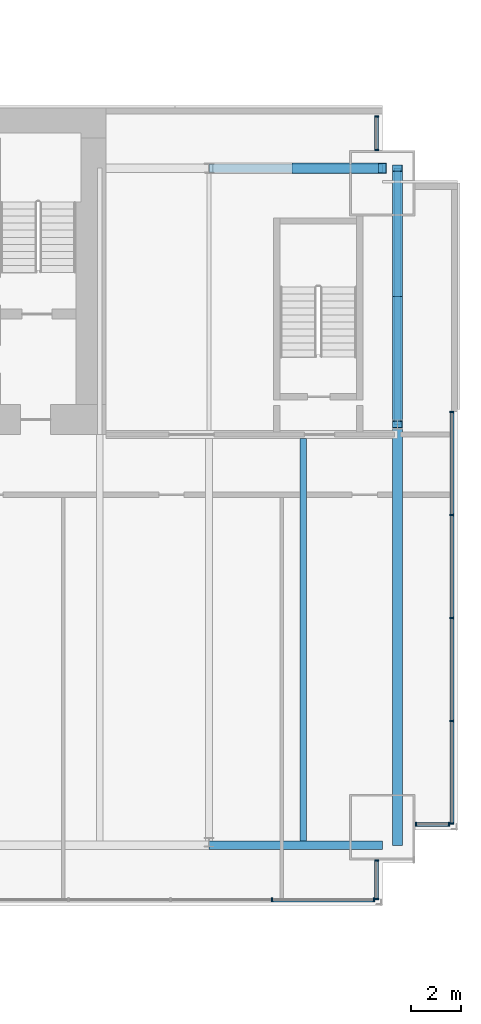
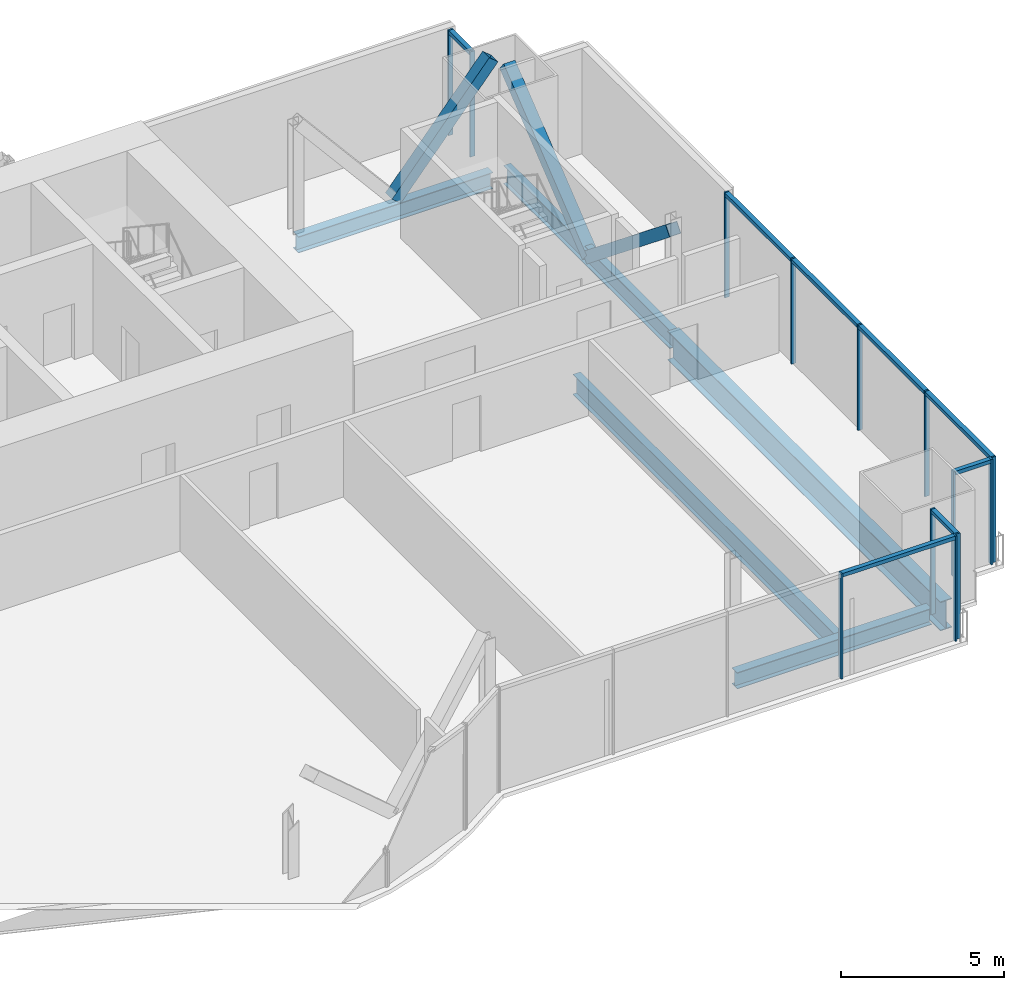
# One storey, part 12 of 20: 24 members, 5 beams, 5 elements without a shape of their own.
"""IFC4 building model written with IfcOpenShell, lengths in metres."""

from ifc_helpers import new_model, si_unit, direction, frame, origin, origin_2d, place, context, subcontext, project, spatial, rectangle, hollow_rectangle, i_section, extrude, material, material_profile, profile_set, type_object, element, aggregate, save


model = new_model("IFC4")

# Units and contexts
model_context = context("Model", 3, precision=1e-05, world=origin(), true_north=direction((0.0, 1.0)))
body_context = subcontext(model_context, "Body", "Model", "MODEL_VIEW")
ifc_project = project(units=[si_unit("LENGTHUNIT", "METRE"), si_unit("AREAUNIT", "SQUARE_METRE"), si_unit("VOLUMEUNIT", "CUBIC_METRE"), si_unit("PLANEANGLEUNIT", "RADIAN"), si_unit("MASSUNIT", "GRAM", prefix="KILO")], contexts=[model_context])

# Site, building, storey
site_placement = place(None, origin())
site = spatial("IfcSite", under=ifc_project, at=site_placement, CompositionType="ELEMENT")
building_placement = place(site_placement, origin())
building = spatial("IfcBuilding", under=site, at=building_placement, Name="Bicima Exchange Tower", CompositionType="ELEMENT")
storey_placement = place(building_placement, frame((0.0, 0.0, 215.5)))
storey = spatial("IfcBuildingStorey", under=building, at=storey_placement, Name="L48", CompositionType="ELEMENT", Elevation=215.5)

# Curtain wall, members
ifc_material_1 = material(Name="Anodised bronze aluminium", Category="aluminium")
curtain_wall_type_1 = type_object("IfcCurtainWallType", Name="End face glass wall", PredefinedType="NOTDEFINED", material=ifc_material_1)
curtain_wall_1_placement = place(storey_placement, origin())
curtain_wall_1 = element("IfcCurtainWall", 1, at=curtain_wall_1_placement, inside=storey, type_object=curtain_wall_type_1, Name="End face glass wall L48 run 19", PredefinedType="NOTDEFINED")
ifc_material_profile_1 = material_profile(ifc_material_1, rectangle(XDim=0.159912109375, YDim=0.06005859375, at=origin_2d()))
ifc_profile_set_1 = profile_set([ifc_material_profile_1], Name="Anodised bronze aluminium")
member_type_1 = type_object("IfcMemberType", Name="End face glass wall mullion 60 x 160", PredefinedType="MULLION", material=ifc_profile_set_1)
member_1_placement = place(storey_placement, frame((35.77001953125, -28.491943359375, 0.0), z_axis=(0.0, 0.0, 1.0), x_axis=(-1.0, 0.0, 0.0)))
member_1 = element("IfcMember", 2, at=member_1_placement, type_object=member_type_1, Name="End face glass wall mullion 1", PredefinedType="MULLION", context=body_context, shape_type="SweptSolid", body=[
    extrude(rectangle(XDim=0.159912109375, YDim=0.06005859375, at=origin_2d()), origin(), (0.0, 0.0, 1.0), 3.949951171875),
])
member_2_placement = place(storey_placement, frame((35.77001953125, -24.396484375, 0.0), z_axis=(0.0, 0.0, 1.0), x_axis=(-1.0, 0.0, 0.0)))
member_2 = element("IfcMember", 3, at=member_2_placement, type_object=member_type_1, Name="End face glass wall mullion 2", PredefinedType="MULLION", context=body_context, shape_type="SweptSolid", body=[
    extrude(rectangle(XDim=0.159912109375, YDim=0.06005859375, at=origin_2d()), origin(), (0.0, 0.0, 1.0), 3.949951171875),
])
member_3_placement = place(storey_placement, frame((35.77001953125, -20.301025390625, 0.0), z_axis=(0.0, 0.0, 1.0), x_axis=(-1.0, 0.0, 0.0)))
member_3 = element("IfcMember", 4, at=member_3_placement, type_object=member_type_1, Name="End face glass wall mullion 3", PredefinedType="MULLION", context=body_context, shape_type="SweptSolid", body=[
    extrude(rectangle(XDim=0.159912109375, YDim=0.06005859375, at=origin_2d()), origin(), (0.0, 0.0, 1.0), 3.949951171875),
])
member_4_placement = place(storey_placement, frame((35.77001953125, -16.20556640625, 0.0), z_axis=(0.0, 0.0, 1.0), x_axis=(-1.0, 0.0, 0.0)))
member_4 = element("IfcMember", 5, at=member_4_placement, type_object=member_type_1, Name="End face glass wall mullion 4", PredefinedType="MULLION", context=body_context, shape_type="SweptSolid", body=[
    extrude(rectangle(XDim=0.159912109375, YDim=0.06005859375, at=origin_2d()), origin(), (0.0, 0.0, 1.0), 3.949951171875),
])
member_5_placement = place(storey_placement, frame((35.77001953125, -12.110107421875, 0.0), z_axis=(0.0, 0.0, 1.0), x_axis=(-1.0, 0.0, 0.0)))
member_5 = element("IfcMember", 6, at=member_5_placement, type_object=member_type_1, Name="End face glass wall mullion 5", PredefinedType="MULLION", context=body_context, shape_type="SweptSolid", body=[
    extrude(rectangle(XDim=0.159912109375, YDim=0.06005859375, at=origin_2d()), origin(), (0.0, 0.0, 1.0), 3.949951171875),
])
ifc_material_profile_2 = material_profile(ifc_material_1, rectangle(XDim=0.159912109375, YDim=0.139892578125, at=origin_2d()))
ifc_profile_set_2 = profile_set([ifc_material_profile_2], Name="Anodised bronze aluminium")
member_type_2 = type_object("IfcMemberType", Name="End face glass wall transom 140 x 160", PredefinedType="USERDEFINED", material=ifc_profile_set_2)
member_6_placement = place(storey_placement, frame((35.77001953125, -28.4619140625, 3.8798828125), z_axis=(0.0, 1.0, 0.0), x_axis=(-1.0, 0.0, 0.0)))
member_6 = element("IfcMember", 7, at=member_6_placement, type_object=member_type_2, Name="End face glass wall transom 1.1", ObjectType="TRANSOM", PredefinedType="USERDEFINED", context=body_context, shape_type="SweptSolid", body=[
    extrude(rectangle(XDim=0.159912109375, YDim=0.139892578125, at=origin_2d()), origin(), (0.0, 0.0, 1.0), 4.035400390625),
])
member_7_placement = place(storey_placement, frame((35.77001953125, -24.366455078125, 3.8798828125), z_axis=(0.0, 1.0, 0.0), x_axis=(-1.0, 0.0, 0.0)))
member_7 = element("IfcMember", 8, at=member_7_placement, type_object=member_type_2, Name="End face glass wall transom 2.1", ObjectType="TRANSOM", PredefinedType="USERDEFINED", context=body_context, shape_type="SweptSolid", body=[
    extrude(rectangle(XDim=0.159912109375, YDim=0.139892578125, at=origin_2d()), origin(), (0.0, 0.0, 1.0), 4.035400390625),
])
member_8_placement = place(storey_placement, frame((35.77001953125, -20.27099609375, 3.8798828125), z_axis=(0.0, 1.0, 0.0), x_axis=(-1.0, 0.0, 0.0)))
member_8 = element("IfcMember", 9, at=member_8_placement, type_object=member_type_2, Name="End face glass wall transom 3.1", ObjectType="TRANSOM", PredefinedType="USERDEFINED", context=body_context, shape_type="SweptSolid", body=[
    extrude(rectangle(XDim=0.159912109375, YDim=0.139892578125, at=origin_2d()), origin(), (0.0, 0.0, 1.0), 4.035400390625),
])
member_9_placement = place(storey_placement, frame((35.77001953125, -16.175537109375, 3.8798828125), z_axis=(0.0, 1.0, 0.0), x_axis=(-1.0, 0.0, 0.0)))
member_9 = element("IfcMember", 10, at=member_9_placement, type_object=member_type_2, Name="End face glass wall transom 4.1", ObjectType="TRANSOM", PredefinedType="USERDEFINED", context=body_context, shape_type="SweptSolid", body=[
    extrude(rectangle(XDim=0.159912109375, YDim=0.139892578125, at=origin_2d()), origin(), (0.0, 0.0, 1.0), 4.03564453125),
])
aggregate(curtain_wall_1, [member_1, member_2, member_3, member_4, member_5, member_6, member_7, member_8, member_9])

# Beams
ifc_material_2 = material(Name="Steel ASTM A992 Gr 50", Category="steel")
ifc_material_profile_3 = material_profile(ifc_material_2, i_section(OverallWidth=0.256591796875, OverallDepth=0.693359375, WebThickness=0.014404296875, FlangeThickness=0.023681640625, at=origin_2d()))
ifc_profile_set_3 = profile_set([ifc_material_profile_3], Name="Steel ASTM A992 Gr 50")
beam_type_1 = type_object("IfcBeamType", Name="End girder W27x114", PredefinedType="BEAM", material=ifc_profile_set_3)
beam_1_placement = place(storey_placement, frame((33.60009765625, -2.39990234375, -0.49658203125), z_axis=(0.0, -1.0, 0.0), x_axis=(1.0, 0.0, 0.0)))
element("IfcBeam", 11, at=beam_1_placement, inside=storey, type_object=beam_type_1, Name="End girder", PredefinedType="BEAM", context=body_context, shape_type="SweptSolid", body=[
    extrude(i_section(OverallWidth=0.256591796875, OverallDepth=0.693359375, WebThickness=0.014404296875, FlangeThickness=0.023681640625, at=origin_2d()), origin(), (0.0, 0.0, 1.0), 10.2001953125),
])
ifc_material_profile_4 = material_profile(ifc_material_2, i_section(OverallWidth=0.4013671875, OverallDepth=1.089599609375, WebThickness=0.01806640625, FlangeThickness=0.031005859375, at=origin_2d()))
ifc_profile_set_4 = profile_set([ifc_material_profile_4], Name="Steel ASTM A992 Gr 50")
beam_type_2 = type_object("IfcBeamType", Name="End girder W44x230", PredefinedType="BEAM", material=ifc_profile_set_4)
beam_2_placement = place(storey_placement, frame((33.60009765625, -12.60009765625, -0.69482421875), z_axis=(0.0, -1.0, 0.0), x_axis=(1.0, 0.0, 0.0)))
element("IfcBeam", 12, at=beam_2_placement, inside=storey, type_object=beam_type_2, Name="End girder", PredefinedType="BEAM", context=body_context, shape_type="SweptSolid", body=[
    extrude(i_section(OverallWidth=0.4013671875, OverallDepth=1.089599609375, WebThickness=0.01806640625, FlangeThickness=0.031005859375, at=origin_2d()), origin(), (0.0, 0.0, 1.0), 16.751953125),
])
ifc_material_profile_5 = material_profile(ifc_material_2, i_section(OverallWidth=0.2666015625, OverallDepth=0.75439453125, WebThickness=0.01318359375, FlangeThickness=0.01708984375, at=origin_2d()))
ifc_profile_set_5 = profile_set([ifc_material_profile_5], Name="Steel ASTM A992 Gr 50")
beam_type_3 = type_object("IfcBeamType", Name="Floor beam W30x99", PredefinedType="JOIST", material=ifc_profile_set_5)
beam_3_placement = place(storey_placement, frame((29.85009765625, -13.15234375, -0.527099609375), z_axis=(0.0, -1.0, 0.0), x_axis=(1.0, 0.0, 0.0)))
element("IfcBeam", 13, at=beam_3_placement, inside=storey, type_object=beam_type_3, Name="Floor beam", PredefinedType="JOIST", context=body_context, shape_type="SweptSolid", body=[
    extrude(i_section(OverallWidth=0.2666015625, OverallDepth=0.75439453125, WebThickness=0.01318359375, FlangeThickness=0.01708984375, at=origin_2d()), origin(), (0.0, 0.0, 1.0), 16.037109375),
])
ifc_material_profile_6 = material_profile(ifc_material_2, i_section(OverallWidth=0.3251953125, OverallDepth=0.612060546875, WebThickness=0.0126953125, FlangeThickness=0.01904296875, at=origin_2d()))
ifc_profile_set_6 = profile_set([ifc_material_profile_6], Name="Steel ASTM A992 Gr 50")
beam_type_4 = type_object("IfcBeamType", Name="Front girder W24x104", PredefinedType="BEAM", material=ifc_profile_set_6)
beam_4_placement = place(storey_placement, frame((26.10009765625, -29.35205078125, -0.4560546875), z_axis=(1.0, 0.0, 0.0), x_axis=(0.0, 1.0, 0.0)))
element("IfcBeam", 14, at=beam_4_placement, inside=storey, type_object=beam_type_4, Name="Front girder", PredefinedType="BEAM", context=body_context, shape_type="SweptSolid", body=[
    extrude(i_section(OverallWidth=0.3251953125, OverallDepth=0.612060546875, WebThickness=0.0126953125, FlangeThickness=0.01904296875, at=origin_2d()), origin(), (0.0, 0.0, 1.0), 6.89990234375),
])

# Curtain wall, members
curtain_wall_type_2 = type_object("IfcCurtainWallType", Name="Front glass wall", PredefinedType="NOTDEFINED", material=ifc_material_1)
curtain_wall_2_placement = place(storey_placement, origin())
curtain_wall_2 = element("IfcCurtainWall", 15, at=curtain_wall_2_placement, inside=storey, type_object=curtain_wall_type_2, Name="Front glass wall L48 run 16", PredefinedType="NOTDEFINED")
member_type_3 = type_object("IfcMemberType", Name="Front glass wall mullion 60 x 160", PredefinedType="MULLION", material=ifc_profile_set_1)
member_10_placement = place(storey_placement, frame((28.610595703125, -31.52197265625, 0.0), z_axis=(0.0, 0.0, 1.0), x_axis=(0.0, 1.0, 0.0)))
member_10 = element("IfcMember", 16, at=member_10_placement, type_object=member_type_3, Name="Front glass wall mullion 4", PredefinedType="MULLION", context=body_context, shape_type="SweptSolid", body=[
    extrude(rectangle(XDim=0.159912109375, YDim=0.06005859375, at=origin_2d()), origin(), (0.0, 0.0, 1.0), 3.949951171875),
])
member_11_placement = place(storey_placement, frame((32.659912109375, -31.52197265625, 0.0), z_axis=(0.0, 0.0, 1.0), x_axis=(0.0, 1.0, 0.0)))
member_11 = element("IfcMember", 17, at=member_11_placement, type_object=member_type_3, Name="Front glass wall mullion 5", PredefinedType="MULLION", context=body_context, shape_type="SweptSolid", body=[
    extrude(rectangle(XDim=0.159912109375, YDim=0.06005859375, at=origin_2d()), origin(), (0.0, 0.0, 1.0), 3.949951171875),
])

curtain_wall_3_placement = place(storey_placement, origin())
curtain_wall_3 = element("IfcCurtainWall", 18, at=curtain_wall_3_placement, inside=storey, type_object=curtain_wall_type_2, Name="Front glass wall L48 run 17", PredefinedType="NOTDEFINED")
member_12_placement = place(storey_placement, frame((32.77001953125, -31.491943359375, 0.0), z_axis=(0.0, 0.0, 1.0), x_axis=(-1.0, 0.0, 0.0)))
member_12 = element("IfcMember", 19, at=member_12_placement, type_object=member_type_3, Name="Front glass wall mullion 1", PredefinedType="MULLION", context=body_context, shape_type="SweptSolid", body=[
    extrude(rectangle(XDim=0.159912109375, YDim=0.06005859375, at=origin_2d()), origin(), (0.0, 0.0, 1.0), 3.949951171875),
])
member_13_placement = place(storey_placement, frame((32.77001953125, -29.9599609375, 0.0), z_axis=(0.0, 0.0, 1.0), x_axis=(-1.0, 0.0, 0.0)))
member_13 = element("IfcMember", 20, at=member_13_placement, type_object=member_type_3, Name="Front glass wall mullion 2", PredefinedType="MULLION", context=body_context, shape_type="SweptSolid", body=[
    extrude(rectangle(XDim=0.159912109375, YDim=0.06005859375, at=origin_2d()), origin(), (0.0, 0.0, 1.0), 3.949951171875),
])

curtain_wall_4_placement = place(storey_placement, origin())
curtain_wall_4 = element("IfcCurtainWall", 21, at=curtain_wall_4_placement, inside=storey, type_object=curtain_wall_type_2, Name="Front glass wall L48 run 18", PredefinedType="NOTDEFINED")
member_14_placement = place(storey_placement, frame((34.330078125, -28.52197265625, 0.0), z_axis=(0.0, 0.0, 1.0), x_axis=(0.0, 1.0, 0.0)))
member_14 = element("IfcMember", 22, at=member_14_placement, type_object=member_type_3, Name="Front glass wall mullion 1", PredefinedType="MULLION", context=body_context, shape_type="SweptSolid", body=[
    extrude(rectangle(XDim=0.159912109375, YDim=0.06005859375, at=origin_2d()), origin(), (0.0, 0.0, 1.0), 3.949951171875),
])
member_15_placement = place(storey_placement, frame((35.659912109375, -28.52197265625, 0.0), z_axis=(0.0, 0.0, 1.0), x_axis=(0.0, 1.0, 0.0)))
member_15 = element("IfcMember", 23, at=member_15_placement, type_object=member_type_3, Name="Front glass wall mullion 2", PredefinedType="MULLION", context=body_context, shape_type="SweptSolid", body=[
    extrude(rectangle(XDim=0.159912109375, YDim=0.06005859375, at=origin_2d()), origin(), (0.0, 0.0, 1.0), 3.949951171875),
])

curtain_wall_5_placement = place(storey_placement, origin())
curtain_wall_5 = element("IfcCurtainWall", 24, at=curtain_wall_5_placement, inside=storey, type_object=curtain_wall_type_2, Name="Front glass wall L48 run 20", PredefinedType="NOTDEFINED")
member_16_placement = place(storey_placement, frame((32.77001953125, -1.669921875, 0.0), z_axis=(0.0, 0.0, 1.0), x_axis=(-1.0, 0.0, 0.0)))
member_16 = element("IfcMember", 25, at=member_16_placement, type_object=member_type_3, Name="Front glass wall mullion 1", PredefinedType="MULLION", context=body_context, shape_type="SweptSolid", body=[
    extrude(rectangle(XDim=0.159912109375, YDim=0.06005859375, at=origin_2d()), origin(), (0.0, 0.0, 1.0), 3.949951171875),
])
member_17_placement = place(storey_placement, frame((32.77001953125, -0.340087890625, 0.0), z_axis=(0.0, 0.0, 1.0), x_axis=(-1.0, 0.0, 0.0)))
member_17 = element("IfcMember", 26, at=member_17_placement, type_object=member_type_3, Name="Front glass wall mullion 2", PredefinedType="MULLION", context=body_context, shape_type="SweptSolid", body=[
    extrude(rectangle(XDim=0.159912109375, YDim=0.06005859375, at=origin_2d()), origin(), (0.0, 0.0, 1.0), 3.949951171875),
])

# Member
member_type_4 = type_object("IfcMemberType", Name="Front glass wall transom 140 x 160", PredefinedType="USERDEFINED", material=ifc_profile_set_2)
member_18_placement = place(storey_placement, frame((28.640380859375, -31.52197265625, 3.8798828125), z_axis=(1.0, 0.0, 0.0), x_axis=(0.0, 1.0, 0.0)))
member_18 = element("IfcMember", 27, at=member_18_placement, type_object=member_type_4, Name="Front glass wall transom 4.1", ObjectType="TRANSOM", PredefinedType="USERDEFINED", context=body_context, shape_type="SweptSolid", body=[
    extrude(rectangle(XDim=0.159912109375, YDim=0.139892578125, at=origin_2d()), origin(), (0.0, 0.0, 1.0), 3.989501953125),
])

aggregate(curtain_wall_2, [member_10, member_11, member_18])

member_19_placement = place(storey_placement, frame((32.77001953125, -31.4619140625, 3.8798828125), z_axis=(0.0, 1.0, 0.0), x_axis=(-1.0, 0.0, 0.0)))
member_19 = element("IfcMember", 28, at=member_19_placement, type_object=member_type_4, Name="Front glass wall transom 1.1", ObjectType="TRANSOM", PredefinedType="USERDEFINED", context=body_context, shape_type="SweptSolid", body=[
    extrude(rectangle(XDim=0.159912109375, YDim=0.139892578125, at=origin_2d()), origin(), (0.0, 0.0, 1.0), 1.471923828125),
])

aggregate(curtain_wall_3, [member_12, member_13, member_19])

member_20_placement = place(storey_placement, frame((34.360107421875, -28.52197265625, 3.8798828125), z_axis=(1.0, 0.0, 0.0), x_axis=(0.0, 1.0, 0.0)))
member_20 = element("IfcMember", 29, at=member_20_placement, type_object=member_type_4, Name="Front glass wall transom 1.1", ObjectType="TRANSOM", PredefinedType="USERDEFINED", context=body_context, shape_type="SweptSolid", body=[
    extrude(rectangle(XDim=0.159912109375, YDim=0.139892578125, at=origin_2d()), origin(), (0.0, 0.0, 1.0), 1.269775390625),
])

aggregate(curtain_wall_4, [member_14, member_15, member_20])

member_21_placement = place(storey_placement, frame((32.77001953125, -1.639892578125, 3.8798828125), z_axis=(0.0, 1.0, 0.0), x_axis=(-1.0, 0.0, 0.0)))
member_21 = element("IfcMember", 30, at=member_21_placement, type_object=member_type_4, Name="Front glass wall transom 1.1", ObjectType="TRANSOM", PredefinedType="USERDEFINED", context=body_context, shape_type="SweptSolid", body=[
    extrude(rectangle(XDim=0.159912109375, YDim=0.139892578125, at=origin_2d()), origin(), (0.0, 0.0, 1.0), 1.269775390625),
])

aggregate(curtain_wall_5, [member_16, member_17, member_21])

# Members
ifc_material_3 = material(Name="Steel ASTM A572 Gr 50", Category="steel")
ifc_material_profile_7 = material_profile(ifc_material_3, hollow_rectangle(XDim=0.406494140625, YDim=0.406494140625, WallThickness=0.0146484375, at=origin_2d()))
ifc_profile_set_7 = profile_set([ifc_material_profile_7], Name="Steel ASTM A572 Gr 50")
member_type_5 = type_object("IfcMemberType", Name="Mega brace HSS16x16x5/8", PredefinedType="BRACE", material=ifc_profile_set_7)
member_22_placement = place(storey_placement, frame((29.550048828125, -2.39990234375, 0.0), z_axis=(0.643834042494, 0.0, 0.765165162384), x_axis=(0.0, 1.0, 0.0)))
element("IfcMember", 31, at=member_22_placement, inside=storey, type_object=member_type_5, Name="Mega brace rear", PredefinedType="BRACE", context=body_context, shape_type="SweptSolid", body=[
    extrude(hollow_rectangle(XDim=0.406494140625, YDim=0.406494140625, WallThickness=0.0146484375, at=origin_2d()), origin(), (0.0, 0.0, 1.0), 5.3583984375),
])
for number, where, z_axis, x_axis, name in (
    (32, (33.60009765625, -7.5, -0.49658203125), (0.0, -0.779392460608, 0.626536026376), (1.0, 0.0, 0.0), "Mega brace east end"),
    (33, (33.60009765625, -7.5, -0.49658203125), (0.0, 0.779392460608, 0.626536026376), (-1.0, 0.0, 0.0), "Mega brace east end"),
):
    element("IfcMember", number, at=place(storey_placement, frame(where, z_axis=z_axis, x_axis=x_axis)), inside=storey, type_object=member_type_5, Name=name, PredefinedType="BRACE", context=body_context, shape_type="SweptSolid", body=[
        extrude(hollow_rectangle(XDim=0.406494140625, YDim=0.406494140625, WallThickness=0.0146484375, at=origin_2d()), origin(), (0.0, 0.0, 1.0), 6.543701171875),
    ])

# Beam
beam_type_5 = type_object("IfcBeamType", Name="Rear girder W24x104", PredefinedType="BEAM", material=ifc_profile_set_6)
beam_5_placement = place(storey_placement, frame((26.10009765625, -2.39990234375, -0.4560546875), z_axis=(1.0, 0.0, 0.0), x_axis=(0.0, 1.0, 0.0)))
element("IfcBeam", 34, at=beam_5_placement, inside=storey, type_object=beam_type_5, Name="Rear girder", PredefinedType="BEAM", context=body_context, shape_type="SweptSolid", body=[
    extrude(i_section(OverallWidth=0.3251953125, OverallDepth=0.612060546875, WebThickness=0.0126953125, FlangeThickness=0.01904296875, at=origin_2d()), origin(), (0.0, 0.0, 1.0), 6.89990234375),
])

save(model, "model.ifc")
